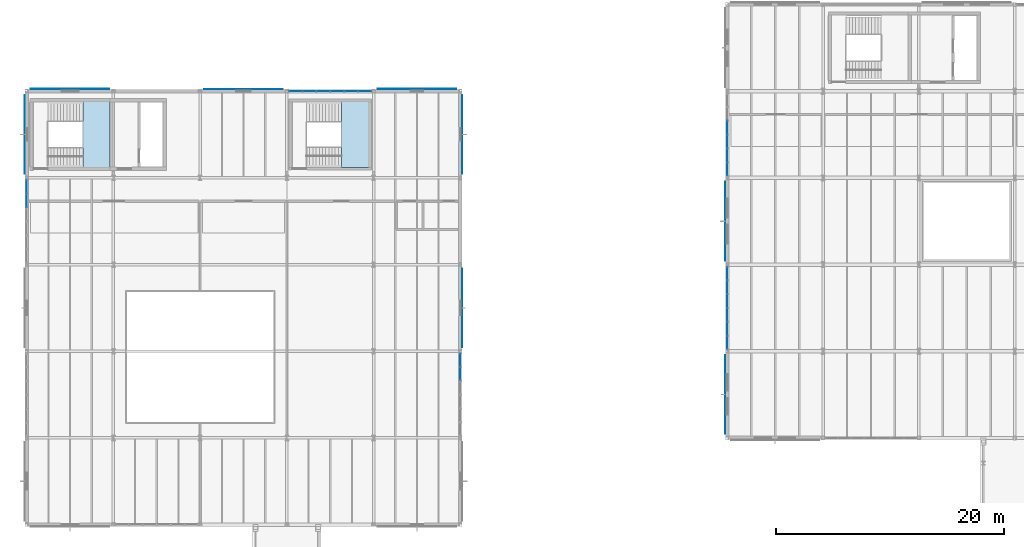
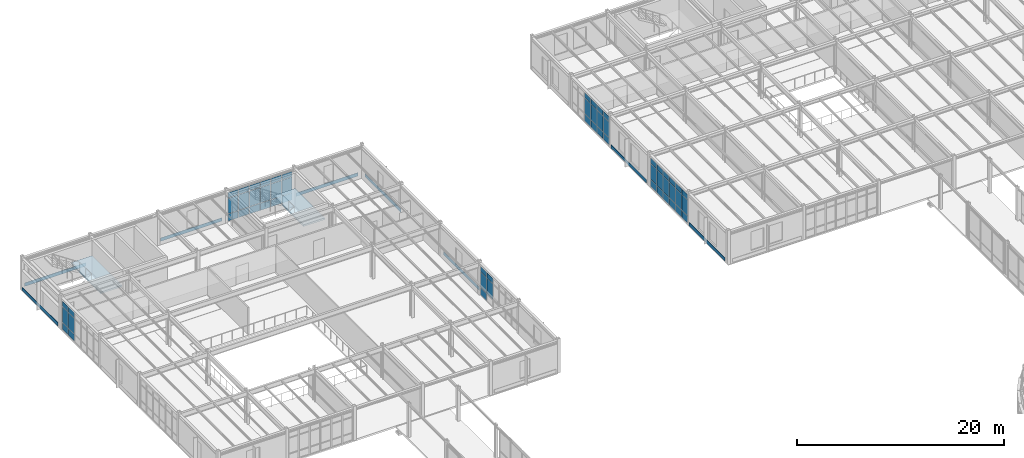
# One storey, part 126 of 165: 67 plates, 2 slabs, 7 elements without a shape of their own.
"""IFC4 building model written with IfcOpenShell, lengths in metres."""

from ifc_helpers import new_model, si_unit, direction, frame, origin, origin_2d, place, context, subcontext, project, spatial, polyline, rectangle, outline, extrude, material, layer, layer_set, type_object, element, aggregate, save


model = new_model("IFC4")

# Units and contexts
model_context = context("Model", 3, precision=1e-05, world=origin(), true_north=direction((0.0, 1.0)))
body_context = subcontext(model_context, "Body", "Model", "MODEL_VIEW")
ifc_project = project(units=[si_unit("LENGTHUNIT", "METRE"), si_unit("AREAUNIT", "SQUARE_METRE"), si_unit("VOLUMEUNIT", "CUBIC_METRE"), si_unit("PLANEANGLEUNIT", "RADIAN"), si_unit("MASSUNIT", "GRAM", prefix="KILO")], contexts=[model_context])

# Site, building, storey
site_placement = place(None, origin())
site = spatial("IfcSite", under=ifc_project, at=site_placement, CompositionType="ELEMENT")
building_placement = place(site_placement, origin())
building = spatial("IfcBuilding", under=site, at=building_placement, Name="Montecoro Central Library", CompositionType="ELEMENT")
storey_placement = place(building_placement, frame((0.0, 0.0, 5.10009765625)))
storey = spatial("IfcBuildingStorey", under=building, at=storey_placement, Name="L01", CompositionType="ELEMENT", Elevation=5.10009765625)

# Curtain wall, plates
ifc_material_1 = material(Name="Bronze-anodised aluminium and low-E glazing", Category="aluminium")
ifc_layer_1 = layer(ifc_material_1, 0.159912109375)
ifc_layer_set_1 = layer_set([ifc_layer_1], Name="Bronze-anodised aluminium and low-E glazing")
curtain_wall_type_1 = type_object("IfcCurtainWallType", Name="CWT-013", PredefinedType="NOTDEFINED", material=ifc_layer_set_1)
curtain_wall_1_placement = place(storey_placement, origin())
curtain_wall_1 = element("IfcCurtainWall", 1, at=curtain_wall_1_placement, inside=storey, type_object=curtain_wall_type_1, Name="V2-L01-CW-W3", PredefinedType="NOTDEFINED")
ifc_material_2 = material(Name="Laminated low-E double glazing", Category="glass")
ifc_layer_2 = layer(ifc_material_2, 0.02587890625)
ifc_layer_set_2 = layer_set([ifc_layer_2], Name="Laminated low-E double glazing")
plate_type_1 = type_object("IfcPlateType", Name="CWP-GLZ-01", PredefinedType="CURTAIN_PANEL", material=ifc_layer_set_2)
plate_1_placement = place(storey_placement, frame((66.39990234375, 108.207763671875, 0.059814453125), z_axis=(0.0, 0.0, 1.0), x_axis=(0.0, -1.0, 0.0)))
plate_1 = element("IfcPlate", 2, at=plate_1_placement, type_object=plate_type_1, Name="CW-013 panel 3.1", PredefinedType="CURTAIN_PANEL", context=body_context, shape_type="SweptSolid", body=[
    extrude(rectangle(XDim=1.15576171875, YDim=0.02587890625, at=origin_2d()), origin(), (0.0, 0.0, 1.0), 0.81005859375),
])
plate_2_placement = place(storey_placement, frame((66.39990234375, 108.207763671875, 0.9296875), z_axis=(0.0, 0.0, 1.0), x_axis=(0.0, -1.0, 0.0)))
plate_2 = element("IfcPlate", 3, at=plate_2_placement, type_object=plate_type_1, Name="CW-013 panel 3.2", PredefinedType="CURTAIN_PANEL", context=body_context, shape_type="SweptSolid", body=[
    extrude(rectangle(XDim=1.15576171875, YDim=0.02587890625, at=origin_2d()), origin(), (0.0, 0.0, 1.0), 1.820068359375),
])
plate_3_placement = place(storey_placement, frame((66.39990234375, 108.207763671875, 2.81005859375), z_axis=(0.0, 0.0, 1.0), x_axis=(0.0, -1.0, 0.0)))
plate_3 = element("IfcPlate", 4, at=plate_3_placement, type_object=plate_type_1, Name="CW-013 panel 3.3", PredefinedType="CURTAIN_PANEL", context=body_context, shape_type="SweptSolid", body=[
    extrude(rectangle(XDim=1.15576171875, YDim=0.02587890625, at=origin_2d()), origin(), (0.0, 0.0, 1.0), 0.610107421875),
])
plate_4_placement = place(storey_placement, frame((66.39990234375, 106.9921875, 0.059814453125), z_axis=(0.0, 0.0, 1.0), x_axis=(0.0, -1.0, 0.0)))
plate_4 = element("IfcPlate", 5, at=plate_4_placement, type_object=plate_type_1, Name="CW-013 panel 4.1", PredefinedType="CURTAIN_PANEL", context=body_context, shape_type="SweptSolid", body=[
    extrude(rectangle(XDim=1.15576171875, YDim=0.02587890625, at=origin_2d()), origin(), (0.0, 0.0, 1.0), 0.81005859375),
])
plate_5_placement = place(storey_placement, frame((66.39990234375, 106.9921875, 0.9296875), z_axis=(0.0, 0.0, 1.0), x_axis=(0.0, -1.0, 0.0)))
plate_5 = element("IfcPlate", 6, at=plate_5_placement, type_object=plate_type_1, Name="CW-013 panel 4.2", PredefinedType="CURTAIN_PANEL", context=body_context, shape_type="SweptSolid", body=[
    extrude(rectangle(XDim=1.15576171875, YDim=0.02587890625, at=origin_2d()), origin(), (0.0, 0.0, 1.0), 1.820068359375),
])
plate_6_placement = place(storey_placement, frame((66.39990234375, 106.9921875, 2.81005859375), z_axis=(0.0, 0.0, 1.0), x_axis=(0.0, -1.0, 0.0)))
plate_6 = element("IfcPlate", 7, at=plate_6_placement, type_object=plate_type_1, Name="CW-013 panel 4.3", PredefinedType="CURTAIN_PANEL", context=body_context, shape_type="SweptSolid", body=[
    extrude(rectangle(XDim=1.15576171875, YDim=0.02587890625, at=origin_2d()), origin(), (0.0, 0.0, 1.0), 0.610107421875),
])
plate_7_placement = place(storey_placement, frame((66.39990234375, 105.776611328125, 0.059814453125), z_axis=(0.0, 0.0, 1.0), x_axis=(0.0, -1.0, 0.0)))
plate_7 = element("IfcPlate", 8, at=plate_7_placement, type_object=plate_type_1, Name="CW-013 panel 5.1", PredefinedType="CURTAIN_PANEL", context=body_context, shape_type="SweptSolid", body=[
    extrude(rectangle(XDim=1.15576171875, YDim=0.02587890625, at=origin_2d()), origin(), (0.0, 0.0, 1.0), 0.81005859375),
])
plate_8_placement = place(storey_placement, frame((66.39990234375, 105.776611328125, 0.9296875), z_axis=(0.0, 0.0, 1.0), x_axis=(0.0, -1.0, 0.0)))
plate_8 = element("IfcPlate", 9, at=plate_8_placement, type_object=plate_type_1, Name="CW-013 panel 5.2", PredefinedType="CURTAIN_PANEL", context=body_context, shape_type="SweptSolid", body=[
    extrude(rectangle(XDim=1.15576171875, YDim=0.02587890625, at=origin_2d()), origin(), (0.0, 0.0, 1.0), 1.820068359375),
])
plate_9_placement = place(storey_placement, frame((66.39990234375, 105.776611328125, 2.81005859375), z_axis=(0.0, 0.0, 1.0), x_axis=(0.0, -1.0, 0.0)))
plate_9 = element("IfcPlate", 10, at=plate_9_placement, type_object=plate_type_1, Name="CW-013 panel 5.3", PredefinedType="CURTAIN_PANEL", context=body_context, shape_type="SweptSolid", body=[
    extrude(rectangle(XDim=1.15576171875, YDim=0.02587890625, at=origin_2d()), origin(), (0.0, 0.0, 1.0), 0.610107421875),
])
plate_10_placement = place(storey_placement, frame((66.39990234375, 104.575927734375, 0.059814453125), z_axis=(0.0, 0.0, 1.0), x_axis=(0.0, -1.0, 0.0)))
plate_10 = element("IfcPlate", 11, at=plate_10_placement, type_object=plate_type_1, Name="CW-013 panel 6.1", PredefinedType="CURTAIN_PANEL", context=body_context, shape_type="SweptSolid", body=[
    extrude(rectangle(XDim=1.125732421875, YDim=0.02587890625, at=origin_2d()), origin(), (0.0, 0.0, 1.0), 0.81005859375),
])
plate_11_placement = place(storey_placement, frame((66.39990234375, 104.575927734375, 0.9296875), z_axis=(0.0, 0.0, 1.0), x_axis=(0.0, -1.0, 0.0)))
plate_11 = element("IfcPlate", 12, at=plate_11_placement, type_object=plate_type_1, Name="CW-013 panel 6.2", PredefinedType="CURTAIN_PANEL", context=body_context, shape_type="SweptSolid", body=[
    extrude(rectangle(XDim=1.125732421875, YDim=0.02587890625, at=origin_2d()), origin(), (0.0, 0.0, 1.0), 1.820068359375),
])
plate_12_placement = place(storey_placement, frame((66.39990234375, 104.575927734375, 2.81005859375), z_axis=(0.0, 0.0, 1.0), x_axis=(0.0, -1.0, 0.0)))
plate_12 = element("IfcPlate", 13, at=plate_12_placement, type_object=plate_type_1, Name="CW-013 panel 6.3", PredefinedType="CURTAIN_PANEL", context=body_context, shape_type="SweptSolid", body=[
    extrude(rectangle(XDim=1.125732421875, YDim=0.02587890625, at=origin_2d()), origin(), (0.0, 0.0, 1.0), 0.610107421875),
])
aggregate(curtain_wall_1, [plate_1, plate_2, plate_3, plate_4, plate_5, plate_6, plate_7, plate_8, plate_9, plate_10, plate_11, plate_12])

ifc_layer_3 = layer(ifc_material_1, 0.159912109375)
ifc_layer_set_3 = layer_set([ifc_layer_3], Name="Bronze-anodised aluminium and low-E glazing")
curtain_wall_type_2 = type_object("IfcCurtainWallType", Name="CWT-044", PredefinedType="NOTDEFINED", material=ifc_layer_set_3)
curtain_wall_2_placement = place(storey_placement, origin())
curtain_wall_2 = element("IfcCurtainWall", 14, at=curtain_wall_2_placement, inside=storey, type_object=curtain_wall_type_2, Name="V4-L01-CW-N3", PredefinedType="NOTDEFINED")
plate_13_placement = place(storey_placement, frame((34.624267578125, 111.39990234375, 0.059814453125), z_axis=(0.0, 0.0, 1.0), x_axis=(-1.0, 0.0, 0.0)))
plate_13 = element("IfcPlate", 15, at=plate_13_placement, type_object=plate_type_1, Name="CW-044 panel 1.1", PredefinedType="CURTAIN_PANEL", context=body_context, shape_type="SweptSolid", body=[
    extrude(rectangle(XDim=1.125732421875, YDim=0.02587890625, at=origin_2d()), origin(), (0.0, 0.0, 1.0), 0.81005859375),
])
plate_14_placement = place(storey_placement, frame((34.624267578125, 111.39990234375, 0.9296875), z_axis=(0.0, 0.0, 1.0), x_axis=(-1.0, 0.0, 0.0)))
plate_14 = element("IfcPlate", 16, at=plate_14_placement, type_object=plate_type_1, Name="CW-044 panel 1.2", PredefinedType="CURTAIN_PANEL", context=body_context, shape_type="SweptSolid", body=[
    extrude(rectangle(XDim=1.125732421875, YDim=0.02587890625, at=origin_2d()), origin(), (0.0, 0.0, 1.0), 1.820068359375),
])
plate_15_placement = place(storey_placement, frame((34.624267578125, 111.39990234375, 2.81005859375), z_axis=(0.0, 0.0, 1.0), x_axis=(-1.0, 0.0, 0.0)))
plate_15 = element("IfcPlate", 17, at=plate_15_placement, type_object=plate_type_1, Name="CW-044 panel 1.3", PredefinedType="CURTAIN_PANEL", context=body_context, shape_type="SweptSolid", body=[
    extrude(rectangle(XDim=1.125732421875, YDim=0.02587890625, at=origin_2d()), origin(), (0.0, 0.0, 1.0), 0.610107421875),
])
plate_16_placement = place(storey_placement, frame((33.423583984375, 111.39990234375, 0.059814453125), z_axis=(0.0, 0.0, 1.0), x_axis=(-1.0, 0.0, 0.0)))
plate_16 = element("IfcPlate", 18, at=plate_16_placement, type_object=plate_type_1, Name="CW-044 panel 2.1", PredefinedType="CURTAIN_PANEL", context=body_context, shape_type="SweptSolid", body=[
    extrude(rectangle(XDim=1.15576171875, YDim=0.02587890625, at=origin_2d()), origin(), (0.0, 0.0, 1.0), 0.81005859375),
])
plate_17_placement = place(storey_placement, frame((33.423583984375, 111.39990234375, 0.9296875), z_axis=(0.0, 0.0, 1.0), x_axis=(-1.0, 0.0, 0.0)))
plate_17 = element("IfcPlate", 19, at=plate_17_placement, type_object=plate_type_1, Name="CW-044 panel 2.2", PredefinedType="CURTAIN_PANEL", context=body_context, shape_type="SweptSolid", body=[
    extrude(rectangle(XDim=1.15576171875, YDim=0.02587890625, at=origin_2d()), origin(), (0.0, 0.0, 1.0), 1.820068359375),
])
plate_18_placement = place(storey_placement, frame((33.423583984375, 111.39990234375, 2.81005859375), z_axis=(0.0, 0.0, 1.0), x_axis=(-1.0, 0.0, 0.0)))
plate_18 = element("IfcPlate", 20, at=plate_18_placement, type_object=plate_type_1, Name="CW-044 panel 2.3", PredefinedType="CURTAIN_PANEL", context=body_context, shape_type="SweptSolid", body=[
    extrude(rectangle(XDim=1.15576171875, YDim=0.02587890625, at=origin_2d()), origin(), (0.0, 0.0, 1.0), 0.610107421875),
])
plate_19_placement = place(storey_placement, frame((32.207763671875, 111.39990234375, 0.059814453125), z_axis=(0.0, 0.0, 1.0), x_axis=(-1.0, 0.0, 0.0)))
plate_19 = element("IfcPlate", 21, at=plate_19_placement, type_object=plate_type_1, Name="CW-044 panel 3.1", PredefinedType="CURTAIN_PANEL", context=body_context, shape_type="SweptSolid", body=[
    extrude(rectangle(XDim=1.15576171875, YDim=0.02587890625, at=origin_2d()), origin(), (0.0, 0.0, 1.0), 0.81005859375),
])
plate_20_placement = place(storey_placement, frame((32.207763671875, 111.39990234375, 0.9296875), z_axis=(0.0, 0.0, 1.0), x_axis=(-1.0, 0.0, 0.0)))
plate_20 = element("IfcPlate", 22, at=plate_20_placement, type_object=plate_type_1, Name="CW-044 panel 3.2", PredefinedType="CURTAIN_PANEL", context=body_context, shape_type="SweptSolid", body=[
    extrude(rectangle(XDim=1.15576171875, YDim=0.02587890625, at=origin_2d()), origin(), (0.0, 0.0, 1.0), 1.820068359375),
])
plate_21_placement = place(storey_placement, frame((32.207763671875, 111.39990234375, 2.81005859375), z_axis=(0.0, 0.0, 1.0), x_axis=(-1.0, 0.0, 0.0)))
plate_21 = element("IfcPlate", 23, at=plate_21_placement, type_object=plate_type_1, Name="CW-044 panel 3.3", PredefinedType="CURTAIN_PANEL", context=body_context, shape_type="SweptSolid", body=[
    extrude(rectangle(XDim=1.15576171875, YDim=0.02587890625, at=origin_2d()), origin(), (0.0, 0.0, 1.0), 0.610107421875),
])
plate_22_placement = place(storey_placement, frame((30.9921875, 111.39990234375, 0.059814453125), z_axis=(0.0, 0.0, 1.0), x_axis=(-1.0, 0.0, 0.0)))
plate_22 = element("IfcPlate", 24, at=plate_22_placement, type_object=plate_type_1, Name="CW-044 panel 4.1", PredefinedType="CURTAIN_PANEL", context=body_context, shape_type="SweptSolid", body=[
    extrude(rectangle(XDim=1.15576171875, YDim=0.02587890625, at=origin_2d()), origin(), (0.0, 0.0, 1.0), 0.81005859375),
])
plate_23_placement = place(storey_placement, frame((30.9921875, 111.39990234375, 0.9296875), z_axis=(0.0, 0.0, 1.0), x_axis=(-1.0, 0.0, 0.0)))
plate_23 = element("IfcPlate", 25, at=plate_23_placement, type_object=plate_type_1, Name="CW-044 panel 4.2", PredefinedType="CURTAIN_PANEL", context=body_context, shape_type="SweptSolid", body=[
    extrude(rectangle(XDim=1.15576171875, YDim=0.02587890625, at=origin_2d()), origin(), (0.0, 0.0, 1.0), 1.820068359375),
])
plate_24_placement = place(storey_placement, frame((30.9921875, 111.39990234375, 2.81005859375), z_axis=(0.0, 0.0, 1.0), x_axis=(-1.0, 0.0, 0.0)))
plate_24 = element("IfcPlate", 26, at=plate_24_placement, type_object=plate_type_1, Name="CW-044 panel 4.3", PredefinedType="CURTAIN_PANEL", context=body_context, shape_type="SweptSolid", body=[
    extrude(rectangle(XDim=1.15576171875, YDim=0.02587890625, at=origin_2d()), origin(), (0.0, 0.0, 1.0), 0.610107421875),
])
plate_25_placement = place(storey_placement, frame((29.776611328125, 111.39990234375, 0.059814453125), z_axis=(0.0, 0.0, 1.0), x_axis=(-1.0, 0.0, 0.0)))
plate_25 = element("IfcPlate", 27, at=plate_25_placement, type_object=plate_type_1, Name="CW-044 panel 5.1", PredefinedType="CURTAIN_PANEL", context=body_context, shape_type="SweptSolid", body=[
    extrude(rectangle(XDim=1.15576171875, YDim=0.02587890625, at=origin_2d()), origin(), (0.0, 0.0, 1.0), 0.81005859375),
])
plate_26_placement = place(storey_placement, frame((29.776611328125, 111.39990234375, 0.9296875), z_axis=(0.0, 0.0, 1.0), x_axis=(-1.0, 0.0, 0.0)))
plate_26 = element("IfcPlate", 28, at=plate_26_placement, type_object=plate_type_1, Name="CW-044 panel 5.2", PredefinedType="CURTAIN_PANEL", context=body_context, shape_type="SweptSolid", body=[
    extrude(rectangle(XDim=1.15576171875, YDim=0.02587890625, at=origin_2d()), origin(), (0.0, 0.0, 1.0), 1.820068359375),
])
plate_27_placement = place(storey_placement, frame((29.776611328125, 111.39990234375, 2.81005859375), z_axis=(0.0, 0.0, 1.0), x_axis=(-1.0, 0.0, 0.0)))
plate_27 = element("IfcPlate", 29, at=plate_27_placement, type_object=plate_type_1, Name="CW-044 panel 5.3", PredefinedType="CURTAIN_PANEL", context=body_context, shape_type="SweptSolid", body=[
    extrude(rectangle(XDim=1.15576171875, YDim=0.02587890625, at=origin_2d()), origin(), (0.0, 0.0, 1.0), 0.610107421875),
])
plate_28_placement = place(storey_placement, frame((28.575927734375, 111.39990234375, 0.059814453125), z_axis=(0.0, 0.0, 1.0), x_axis=(-1.0, 0.0, 0.0)))
plate_28 = element("IfcPlate", 30, at=plate_28_placement, type_object=plate_type_1, Name="CW-044 panel 6.1", PredefinedType="CURTAIN_PANEL", context=body_context, shape_type="SweptSolid", body=[
    extrude(rectangle(XDim=1.125732421875, YDim=0.02587890625, at=origin_2d()), origin(), (0.0, 0.0, 1.0), 0.81005859375),
])
plate_29_placement = place(storey_placement, frame((28.575927734375, 111.39990234375, 0.9296875), z_axis=(0.0, 0.0, 1.0), x_axis=(-1.0, 0.0, 0.0)))
plate_29 = element("IfcPlate", 31, at=plate_29_placement, type_object=plate_type_1, Name="CW-044 panel 6.2", PredefinedType="CURTAIN_PANEL", context=body_context, shape_type="SweptSolid", body=[
    extrude(rectangle(XDim=1.125732421875, YDim=0.02587890625, at=origin_2d()), origin(), (0.0, 0.0, 1.0), 1.820068359375),
])
plate_30_placement = place(storey_placement, frame((28.575927734375, 111.39990234375, 2.81005859375), z_axis=(0.0, 0.0, 1.0), x_axis=(-1.0, 0.0, 0.0)))
plate_30 = element("IfcPlate", 32, at=plate_30_placement, type_object=plate_type_1, Name="CW-044 panel 6.3", PredefinedType="CURTAIN_PANEL", context=body_context, shape_type="SweptSolid", body=[
    extrude(rectangle(XDim=1.125732421875, YDim=0.02587890625, at=origin_2d()), origin(), (0.0, 0.0, 1.0), 0.610107421875),
])
aggregate(curtain_wall_2, [plate_13, plate_14, plate_15, plate_16, plate_17, plate_18, plate_19, plate_20, plate_21, plate_22, plate_23, plate_24, plate_25, plate_26, plate_27, plate_28, plate_29, plate_30])

ifc_layer_4 = layer(ifc_material_1, 0.159912109375)
ifc_layer_set_4 = layer_set([ifc_layer_4], Name="Bronze-anodised aluminium and low-E glazing")
curtain_wall_type_3 = type_object("IfcCurtainWallType", Name="CWT-045", PredefinedType="NOTDEFINED", material=ifc_layer_set_4)
curtain_wall_3_placement = place(storey_placement, origin())
curtain_wall_3 = element("IfcCurtainWall", 33, at=curtain_wall_3_placement, inside=storey, type_object=curtain_wall_type_3, Name="V4-L01-CW-W3", PredefinedType="NOTDEFINED")
plate_31_placement = place(storey_placement, frame((5.0, 103.024169921875, 0.059814453125), z_axis=(0.0, 0.0, 1.0), x_axis=(0.0, -1.0, 0.0)))
plate_31 = element("IfcPlate", 34, at=plate_31_placement, type_object=plate_type_1, Name="CW-045 panel 1.1", PredefinedType="CURTAIN_PANEL", context=body_context, shape_type="SweptSolid", body=[
    extrude(rectangle(XDim=1.125732421875, YDim=0.02587890625, at=origin_2d()), origin(), (0.0, 0.0, 1.0), 0.81005859375),
])
plate_32_placement = place(storey_placement, frame((5.0, 103.024169921875, 0.9296875), z_axis=(0.0, 0.0, 1.0), x_axis=(0.0, -1.0, 0.0)))
plate_32 = element("IfcPlate", 35, at=plate_32_placement, type_object=plate_type_1, Name="CW-045 panel 1.2", PredefinedType="CURTAIN_PANEL", context=body_context, shape_type="SweptSolid", body=[
    extrude(rectangle(XDim=1.125732421875, YDim=0.02587890625, at=origin_2d()), origin(), (0.0, 0.0, 1.0), 1.820068359375),
])
plate_33_placement = place(storey_placement, frame((5.0, 103.024169921875, 2.81005859375), z_axis=(0.0, 0.0, 1.0), x_axis=(0.0, -1.0, 0.0)))
plate_33 = element("IfcPlate", 36, at=plate_33_placement, type_object=plate_type_1, Name="CW-045 panel 1.3", PredefinedType="CURTAIN_PANEL", context=body_context, shape_type="SweptSolid", body=[
    extrude(rectangle(XDim=1.125732421875, YDim=0.02587890625, at=origin_2d()), origin(), (0.0, 0.0, 1.0), 0.610107421875),
])
plate_34_placement = place(storey_placement, frame((5.0, 101.823486328125, 0.059814453125), z_axis=(0.0, 0.0, 1.0), x_axis=(0.0, -1.0, 0.0)))
plate_34 = element("IfcPlate", 37, at=plate_34_placement, type_object=plate_type_1, Name="CW-045 panel 2.1", PredefinedType="CURTAIN_PANEL", context=body_context, shape_type="SweptSolid", body=[
    extrude(rectangle(XDim=1.15576171875, YDim=0.02587890625, at=origin_2d()), origin(), (0.0, 0.0, 1.0), 0.81005859375),
])
plate_35_placement = place(storey_placement, frame((5.0, 101.823486328125, 0.9296875), z_axis=(0.0, 0.0, 1.0), x_axis=(0.0, -1.0, 0.0)))
plate_35 = element("IfcPlate", 38, at=plate_35_placement, type_object=plate_type_1, Name="CW-045 panel 2.2", PredefinedType="CURTAIN_PANEL", context=body_context, shape_type="SweptSolid", body=[
    extrude(rectangle(XDim=1.15576171875, YDim=0.02587890625, at=origin_2d()), origin(), (0.0, 0.0, 1.0), 1.820068359375),
])
plate_36_placement = place(storey_placement, frame((5.0, 101.823486328125, 2.81005859375), z_axis=(0.0, 0.0, 1.0), x_axis=(0.0, -1.0, 0.0)))
plate_36 = element("IfcPlate", 39, at=plate_36_placement, type_object=plate_type_1, Name="CW-045 panel 2.3", PredefinedType="CURTAIN_PANEL", context=body_context, shape_type="SweptSolid", body=[
    extrude(rectangle(XDim=1.15576171875, YDim=0.02587890625, at=origin_2d()), origin(), (0.0, 0.0, 1.0), 0.610107421875),
])
aggregate(curtain_wall_3, [plate_31, plate_32, plate_33, plate_34, plate_35, plate_36])

curtain_wall_4_placement = place(storey_placement, origin())
curtain_wall_4 = element("IfcCurtainWall", 40, at=curtain_wall_4_placement, inside=storey, type_object=curtain_wall_type_1, Name="V2-L01-CW-W1", PredefinedType="NOTDEFINED")
ifc_layer_5 = layer(ifc_material_2, 0.0380859375)
ifc_layer_set_5 = layer_set([ifc_layer_5], Name="Laminated low-E double glazing")
plate_type_2 = type_object("IfcPlateType", Name="CWP-GLZ-04", PredefinedType="CURTAIN_PANEL", material=ifc_layer_set_5)
plate_37_placement = place(storey_placement, frame((66.39990234375, 95.424072265625, 0.059814453125), z_axis=(0.0, 0.0, 1.0), x_axis=(0.0, -1.0, 0.0)))
plate_37 = element("IfcPlate", 41, at=plate_37_placement, type_object=plate_type_2, Name="CW-013 panel 1.1", PredefinedType="CURTAIN_PANEL", context=body_context, shape_type="SweptSolid", body=[
    extrude(rectangle(XDim=1.125732421875, YDim=0.0380859375, at=origin_2d()), origin(), (0.0, 0.0, 1.0), 0.81005859375),
])
plate_38_placement = place(storey_placement, frame((66.39990234375, 95.424072265625, 0.9296875), z_axis=(0.0, 0.0, 1.0), x_axis=(0.0, -1.0, 0.0)))
plate_38 = element("IfcPlate", 42, at=plate_38_placement, type_object=plate_type_2, Name="CW-013 panel 1.2", PredefinedType="CURTAIN_PANEL", context=body_context, shape_type="SweptSolid", body=[
    extrude(rectangle(XDim=1.125732421875, YDim=0.0380859375, at=origin_2d()), origin(), (0.0, 0.0, 1.0), 1.820068359375),
])
plate_39_placement = place(storey_placement, frame((66.39990234375, 95.424072265625, 2.81005859375), z_axis=(0.0, 0.0, 1.0), x_axis=(0.0, -1.0, 0.0)))
plate_39 = element("IfcPlate", 43, at=plate_39_placement, type_object=plate_type_2, Name="CW-013 panel 1.3", PredefinedType="CURTAIN_PANEL", context=body_context, shape_type="SweptSolid", body=[
    extrude(rectangle(XDim=1.125732421875, YDim=0.0380859375, at=origin_2d()), origin(), (0.0, 0.0, 1.0), 0.610107421875),
])
plate_40_placement = place(storey_placement, frame((66.39990234375, 94.223388671875, 0.059814453125), z_axis=(0.0, 0.0, 1.0), x_axis=(0.0, -1.0, 0.0)))
plate_40 = element("IfcPlate", 44, at=plate_40_placement, type_object=plate_type_2, Name="CW-013 panel 2.1", PredefinedType="CURTAIN_PANEL", context=body_context, shape_type="SweptSolid", body=[
    extrude(rectangle(XDim=1.15576171875, YDim=0.0380859375, at=origin_2d()), origin(), (0.0, 0.0, 1.0), 0.81005859375),
])
plate_41_placement = place(storey_placement, frame((66.39990234375, 94.223388671875, 0.9296875), z_axis=(0.0, 0.0, 1.0), x_axis=(0.0, -1.0, 0.0)))
plate_41 = element("IfcPlate", 45, at=plate_41_placement, type_object=plate_type_2, Name="CW-013 panel 2.2", PredefinedType="CURTAIN_PANEL", context=body_context, shape_type="SweptSolid", body=[
    extrude(rectangle(XDim=1.15576171875, YDim=0.0380859375, at=origin_2d()), origin(), (0.0, 0.0, 1.0), 1.820068359375),
])
plate_42_placement = place(storey_placement, frame((66.39990234375, 94.223388671875, 2.81005859375), z_axis=(0.0, 0.0, 1.0), x_axis=(0.0, -1.0, 0.0)))
plate_42 = element("IfcPlate", 46, at=plate_42_placement, type_object=plate_type_2, Name="CW-013 panel 2.3", PredefinedType="CURTAIN_PANEL", context=body_context, shape_type="SweptSolid", body=[
    extrude(rectangle(XDim=1.15576171875, YDim=0.0380859375, at=origin_2d()), origin(), (0.0, 0.0, 1.0), 0.610107421875),
])
plate_43_placement = place(storey_placement, frame((66.39990234375, 93.0078125, 0.059814453125), z_axis=(0.0, 0.0, 1.0), x_axis=(0.0, -1.0, 0.0)))
plate_43 = element("IfcPlate", 47, at=plate_43_placement, type_object=plate_type_2, Name="CW-013 panel 3.1", PredefinedType="CURTAIN_PANEL", context=body_context, shape_type="SweptSolid", body=[
    extrude(rectangle(XDim=1.15576171875, YDim=0.0380859375, at=origin_2d()), origin(), (0.0, 0.0, 1.0), 0.81005859375),
])
plate_44_placement = place(storey_placement, frame((66.39990234375, 93.0078125, 0.9296875), z_axis=(0.0, 0.0, 1.0), x_axis=(0.0, -1.0, 0.0)))
plate_44 = element("IfcPlate", 48, at=plate_44_placement, type_object=plate_type_2, Name="CW-013 panel 3.2", PredefinedType="CURTAIN_PANEL", context=body_context, shape_type="SweptSolid", body=[
    extrude(rectangle(XDim=1.15576171875, YDim=0.0380859375, at=origin_2d()), origin(), (0.0, 0.0, 1.0), 1.820068359375),
])
plate_45_placement = place(storey_placement, frame((66.39990234375, 93.0078125, 2.81005859375), z_axis=(0.0, 0.0, 1.0), x_axis=(0.0, -1.0, 0.0)))
plate_45 = element("IfcPlate", 49, at=plate_45_placement, type_object=plate_type_2, Name="CW-013 panel 3.3", PredefinedType="CURTAIN_PANEL", context=body_context, shape_type="SweptSolid", body=[
    extrude(rectangle(XDim=1.15576171875, YDim=0.0380859375, at=origin_2d()), origin(), (0.0, 0.0, 1.0), 0.610107421875),
])
plate_46_placement = place(storey_placement, frame((66.39990234375, 91.792236328125, 0.059814453125), z_axis=(0.0, 0.0, 1.0), x_axis=(0.0, -1.0, 0.0)))
plate_46 = element("IfcPlate", 50, at=plate_46_placement, type_object=plate_type_2, Name="CW-013 panel 4.1", PredefinedType="CURTAIN_PANEL", context=body_context, shape_type="SweptSolid", body=[
    extrude(rectangle(XDim=1.15576171875, YDim=0.0380859375, at=origin_2d()), origin(), (0.0, 0.0, 1.0), 0.81005859375),
])
plate_47_placement = place(storey_placement, frame((66.39990234375, 91.792236328125, 0.9296875), z_axis=(0.0, 0.0, 1.0), x_axis=(0.0, -1.0, 0.0)))
plate_47 = element("IfcPlate", 51, at=plate_47_placement, type_object=plate_type_2, Name="CW-013 panel 4.2", PredefinedType="CURTAIN_PANEL", context=body_context, shape_type="SweptSolid", body=[
    extrude(rectangle(XDim=1.15576171875, YDim=0.0380859375, at=origin_2d()), origin(), (0.0, 0.0, 1.0), 1.820068359375),
])
plate_48_placement = place(storey_placement, frame((66.39990234375, 91.792236328125, 2.81005859375), z_axis=(0.0, 0.0, 1.0), x_axis=(0.0, -1.0, 0.0)))
plate_48 = element("IfcPlate", 52, at=plate_48_placement, type_object=plate_type_2, Name="CW-013 panel 4.3", PredefinedType="CURTAIN_PANEL", context=body_context, shape_type="SweptSolid", body=[
    extrude(rectangle(XDim=1.15576171875, YDim=0.0380859375, at=origin_2d()), origin(), (0.0, 0.0, 1.0), 0.610107421875),
])
plate_49_placement = place(storey_placement, frame((66.39990234375, 90.576416015625, 0.059814453125), z_axis=(0.0, 0.0, 1.0), x_axis=(0.0, -1.0, 0.0)))
plate_49 = element("IfcPlate", 53, at=plate_49_placement, type_object=plate_type_2, Name="CW-013 panel 5.1", PredefinedType="CURTAIN_PANEL", context=body_context, shape_type="SweptSolid", body=[
    extrude(rectangle(XDim=1.15576171875, YDim=0.0380859375, at=origin_2d()), origin(), (0.0, 0.0, 1.0), 0.81005859375),
])
plate_50_placement = place(storey_placement, frame((66.39990234375, 90.576416015625, 0.9296875), z_axis=(0.0, 0.0, 1.0), x_axis=(0.0, -1.0, 0.0)))
plate_50 = element("IfcPlate", 54, at=plate_50_placement, type_object=plate_type_2, Name="CW-013 panel 5.2", PredefinedType="CURTAIN_PANEL", context=body_context, shape_type="SweptSolid", body=[
    extrude(rectangle(XDim=1.15576171875, YDim=0.0380859375, at=origin_2d()), origin(), (0.0, 0.0, 1.0), 1.820068359375),
])
plate_51_placement = place(storey_placement, frame((66.39990234375, 90.576416015625, 2.81005859375), z_axis=(0.0, 0.0, 1.0), x_axis=(0.0, -1.0, 0.0)))
plate_51 = element("IfcPlate", 55, at=plate_51_placement, type_object=plate_type_2, Name="CW-013 panel 5.3", PredefinedType="CURTAIN_PANEL", context=body_context, shape_type="SweptSolid", body=[
    extrude(rectangle(XDim=1.15576171875, YDim=0.0380859375, at=origin_2d()), origin(), (0.0, 0.0, 1.0), 0.610107421875),
])
plate_52_placement = place(storey_placement, frame((66.39990234375, 89.375732421875, 0.059814453125), z_axis=(0.0, 0.0, 1.0), x_axis=(0.0, -1.0, 0.0)))
plate_52 = element("IfcPlate", 56, at=plate_52_placement, type_object=plate_type_2, Name="CW-013 panel 6.1", PredefinedType="CURTAIN_PANEL", context=body_context, shape_type="SweptSolid", body=[
    extrude(rectangle(XDim=1.125732421875, YDim=0.0380859375, at=origin_2d()), origin(), (0.0, 0.0, 1.0), 0.81005859375),
])
plate_53_placement = place(storey_placement, frame((66.39990234375, 89.375732421875, 0.9296875), z_axis=(0.0, 0.0, 1.0), x_axis=(0.0, -1.0, 0.0)))
plate_53 = element("IfcPlate", 57, at=plate_53_placement, type_object=plate_type_2, Name="CW-013 panel 6.2", PredefinedType="CURTAIN_PANEL", context=body_context, shape_type="SweptSolid", body=[
    extrude(rectangle(XDim=1.125732421875, YDim=0.0380859375, at=origin_2d()), origin(), (0.0, 0.0, 1.0), 1.820068359375),
])
plate_54_placement = place(storey_placement, frame((66.39990234375, 89.375732421875, 2.81005859375), z_axis=(0.0, 0.0, 1.0), x_axis=(0.0, -1.0, 0.0)))
plate_54 = element("IfcPlate", 58, at=plate_54_placement, type_object=plate_type_2, Name="CW-013 panel 6.3", PredefinedType="CURTAIN_PANEL", context=body_context, shape_type="SweptSolid", body=[
    extrude(rectangle(XDim=1.125732421875, YDim=0.0380859375, at=origin_2d()), origin(), (0.0, 0.0, 1.0), 0.610107421875),
])
aggregate(curtain_wall_4, [plate_37, plate_38, plate_39, plate_40, plate_41, plate_42, plate_43, plate_44, plate_45, plate_46, plate_47, plate_48, plate_49, plate_50, plate_51, plate_52, plate_53, plate_54])

ifc_layer_6 = layer(ifc_material_1, 0.159912109375)
ifc_layer_set_6 = layer_set([ifc_layer_6], Name="Bronze-anodised aluminium and low-E glazing")
curtain_wall_type_4 = type_object("IfcCurtainWallType", Name="CWT-043", PredefinedType="NOTDEFINED", material=ifc_layer_set_6)
curtain_wall_5_placement = place(storey_placement, origin())
curtain_wall_5 = element("IfcCurtainWall", 59, at=curtain_wall_5_placement, inside=storey, type_object=curtain_wall_type_4, Name="V4-L01-CW-E1", PredefinedType="NOTDEFINED")
plate_55_placement = place(storey_placement, frame((43.0, 86.62353515625, 0.9296875), z_axis=(0.0, 0.0, 1.0), x_axis=(0.0, 1.0, 0.0)))
plate_55 = element("IfcPlate", 60, at=plate_55_placement, type_object=plate_type_2, Name="CW-043 panel 5.2", PredefinedType="CURTAIN_PANEL", context=body_context, shape_type="SweptSolid", body=[
    extrude(rectangle(XDim=1.15576171875, YDim=0.0380859375, at=origin_2d()), origin(), (0.0, 0.0, 1.0), 1.820068359375),
])
plate_56_placement = place(storey_placement, frame((43.0, 86.62353515625, 2.81005859375), z_axis=(0.0, 0.0, 1.0), x_axis=(0.0, 1.0, 0.0)))
plate_56 = element("IfcPlate", 61, at=plate_56_placement, type_object=plate_type_2, Name="CW-043 panel 5.3", PredefinedType="CURTAIN_PANEL", context=body_context, shape_type="SweptSolid", body=[
    extrude(rectangle(XDim=1.15576171875, YDim=0.0380859375, at=origin_2d()), origin(), (0.0, 0.0, 1.0), 0.610107421875),
])
plate_57_placement = place(storey_placement, frame((43.0, 87.82421875, 0.059814453125), z_axis=(0.0, 0.0, 1.0), x_axis=(0.0, 1.0, 0.0)))
plate_57 = element("IfcPlate", 62, at=plate_57_placement, type_object=plate_type_2, Name="CW-043 panel 6.1", PredefinedType="CURTAIN_PANEL", context=body_context, shape_type="SweptSolid", body=[
    extrude(rectangle(XDim=1.125732421875, YDim=0.0380859375, at=origin_2d()), origin(), (0.0, 0.0, 1.0), 0.81005859375),
])
plate_58_placement = place(storey_placement, frame((43.0, 87.82421875, 0.9296875), z_axis=(0.0, 0.0, 1.0), x_axis=(0.0, 1.0, 0.0)))
plate_58 = element("IfcPlate", 63, at=plate_58_placement, type_object=plate_type_2, Name="CW-043 panel 6.2", PredefinedType="CURTAIN_PANEL", context=body_context, shape_type="SweptSolid", body=[
    extrude(rectangle(XDim=1.125732421875, YDim=0.0380859375, at=origin_2d()), origin(), (0.0, 0.0, 1.0), 1.820068359375),
])
plate_59_placement = place(storey_placement, frame((43.0, 87.82421875, 2.81005859375), z_axis=(0.0, 0.0, 1.0), x_axis=(0.0, 1.0, 0.0)))
plate_59 = element("IfcPlate", 64, at=plate_59_placement, type_object=plate_type_2, Name="CW-043 panel 6.3", PredefinedType="CURTAIN_PANEL", context=body_context, shape_type="SweptSolid", body=[
    extrude(rectangle(XDim=1.125732421875, YDim=0.0380859375, at=origin_2d()), origin(), (0.0, 0.0, 1.0), 0.610107421875),
])
aggregate(curtain_wall_5, [plate_55, plate_56, plate_57, plate_58, plate_59])

# Plates
ifc_material_3 = material(Name="Architectural bronze spandrel plate", Category="aluminium")
ifc_layer_7 = layer(ifc_material_3, 0.02197265625)
ifc_layer_set_7 = layer_set([ifc_layer_7], Name="Architectural bronze spandrel plate")
plate_type_3 = type_object("IfcPlateType", Name="PLT-SPN-01", PredefinedType="SHEET", material=ifc_layer_set_7)
for number, where, z_axis, x_axis, name in (
    (65, (66.23388671875, 100.0, 0.159912109375), (0.0, 0.0, 1.0), (0.0, -1.0, 0.0), "V2-L01-SPN-W2"),
    (66, (43.166015625, 92.39990234375, 0.159912109375), (0.0, 0.0, 1.0), (0.0, 1.0, 0.0), "V4-L01-SPN-E2"),
    (67, (24.0, 111.56591796875, 0.159912109375), (0.0, 0.0, 1.0), (-1.0, 0.0, 0.0), "V4-L01-SPN-N2"),
):
    element("IfcPlate", number, at=place(storey_placement, frame(where, z_axis=z_axis, x_axis=x_axis)), inside=storey, type_object=plate_type_3, Name=name, PredefinedType="SHEET", context=body_context, shape_type="SweptSolid", body=[
        extrude(rectangle(XDim=6.89404296875, YDim=0.02197265625, at=origin_2d()), origin(), (0.0, 0.0, 1.0), 0.39990234375),
    ])
ifc_layer_8 = layer(ifc_material_3, 0.035888671875)
ifc_layer_set_8 = layer_set([ifc_layer_8], Name="Architectural bronze spandrel plate")
plate_type_4 = type_object("IfcPlateType", Name="PLT-SPN-03", PredefinedType="SHEET", material=ifc_layer_set_8)
for number, where, z_axis, x_axis, name in (
    (68, (66.22705078125, 84.800048828125, 0.159912109375), (0.0, 0.0, 1.0), (0.0, -1.0, 0.0), "V2-L01-SPN-W0"),
    (69, (43.173095703125, 107.60009765625, 0.159912109375), (0.0, 0.0, 1.0), (0.0, 1.0, 0.0), "V4-L01-SPN-E4"),
    (70, (39.199951171875, 111.572998046875, 0.159912109375), (0.0, 0.0, 1.0), (-1.0, 0.0, 0.0), "V4-L01-SPN-N4"),
    (71, (8.800048828125, 111.572998046875, 0.159912109375), (0.0, 0.0, 1.0), (-1.0, 0.0, 0.0), "V4-L01-SPN-N0"),
    (72, (4.826904296875, 107.60009765625, 0.159912109375), (0.0, 0.0, 1.0), (0.0, -1.0, 0.0), "V4-L01-SPN-W4"),
):
    element("IfcPlate", number, at=place(storey_placement, frame(where, z_axis=z_axis, x_axis=x_axis)), inside=storey, type_object=plate_type_4, Name=name, PredefinedType="SHEET", context=body_context, shape_type="SweptSolid", body=[
        extrude(rectangle(XDim=6.89404296875, YDim=0.035888671875, at=origin_2d()), origin(), (0.0, 0.0, 1.0), 0.39990234375),
    ])

# Stair, slab
ifc_material_4 = material(Name="Concrete C35/45", Category="concrete")
stair_type_1 = type_object("IfcStairType", Name="STR-RET-155", PredefinedType="HALF_TURN_STAIR", material=ifc_material_4)
stair_1_placement = place(storey_placement, origin())
stair_1 = element("IfcStair", 73, at=stair_1_placement, inside=storey, type_object=stair_type_1, Name="C5-L01-STR", PredefinedType="HALF_TURN_STAIR")
ifc_layer_9 = layer(ifc_material_4, 0.199951171875)
ifc_layer_set_9 = layer_set([ifc_layer_9], Name="Concrete C35/45")
slab_type = type_object("IfcSlabType", Name="SL-LND-200", PredefinedType="LANDING", material=ifc_layer_set_9)
slab_1_placement = place(storey_placement, frame((0.0, 0.0, 1.83984375)))
slab_1 = element("IfcSlab", 74, at=slab_1_placement, type_object=slab_type, Name="ST-05 landing 1", PredefinedType="LANDING", context=body_context, shape_type="SweptSolid", body=[
    extrude(outline(polyline([(9.919921875, 104.719970703125), (12.300048828125, 104.719970703125), (12.300048828125, 110.47998046875), (9.919921875, 110.47998046875), (9.919921875, 104.719970703125)])), origin(), (0.0, 0.0, 1.0), 0.199951171875),
])
aggregate(stair_1, [slab_1])

stair_type_2 = type_object("IfcStairType", Name="STR-RET-160", PredefinedType="HALF_TURN_STAIR", material=ifc_material_4)
stair_2_placement = place(storey_placement, origin())
stair_2 = element("IfcStair", 75, at=stair_2_placement, inside=storey, type_object=stair_type_2, Name="C9-L01-STR", PredefinedType="HALF_TURN_STAIR")
slab_2_placement = place(storey_placement, frame((0.0, 0.0, 1.83984375)))
slab_2 = element("IfcSlab", 76, at=slab_2_placement, type_object=slab_type, Name="ST-09 landing 1", PredefinedType="LANDING", context=body_context, shape_type="SweptSolid", body=[
    extrude(outline(polyline([(32.60009765625, 104.719970703125), (34.97998046875, 104.719970703125), (34.97998046875, 110.47998046875), (32.60009765625, 110.47998046875), (32.60009765625, 104.719970703125)])), origin(), (0.0, 0.0, 1.0), 0.199951171875),
])
aggregate(stair_2, [slab_2])

save(model, "model.ifc")
